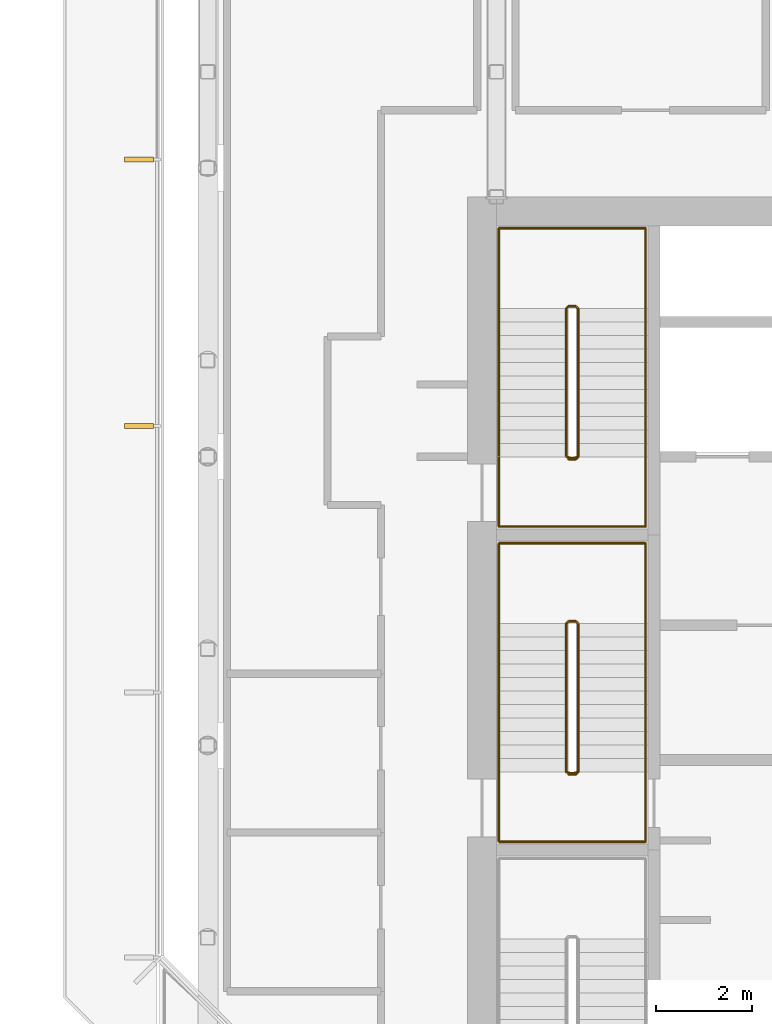
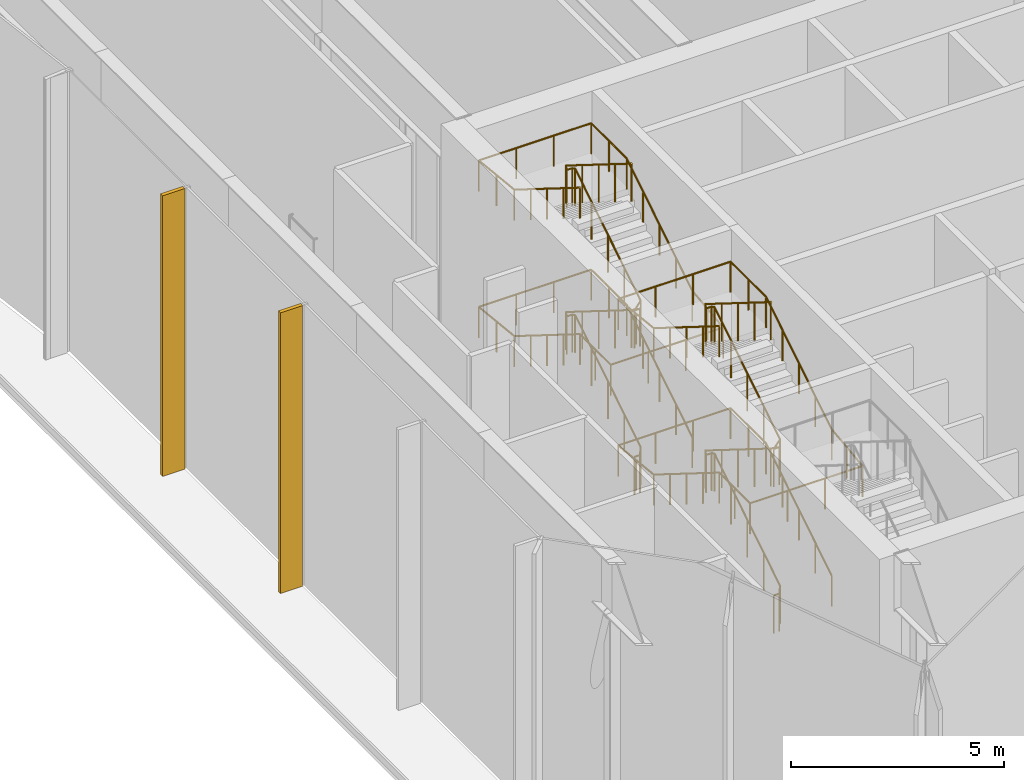
# One storey, part 18 of 22: 4 railings, 2 coverings.
"""IFC4 building model written with IfcOpenShell, lengths in metres."""

from ifc_helpers import new_model, si_unit, direction, frame, origin, origin_2d, place, context, subcontext, project, spatial, rectangle, circle, extrude, material, layer, layer_set, type_object, element, save


model = new_model("IFC4")

# Units and contexts
model_context = context("Model", 3, precision=1e-05, world=origin(), true_north=direction((0.0, 1.0)))
body_context = subcontext(model_context, "Body", "Model", "MODEL_VIEW")
ifc_project = project(units=[si_unit("LENGTHUNIT", "METRE"), si_unit("AREAUNIT", "SQUARE_METRE"), si_unit("VOLUMEUNIT", "CUBIC_METRE"), si_unit("PLANEANGLEUNIT", "RADIAN"), si_unit("MASSUNIT", "GRAM", prefix="KILO")], contexts=[model_context])

# Site, building, storey
site_placement = place(None, origin())
site = spatial("IfcSite", under=ifc_project, at=site_placement, CompositionType="ELEMENT")
building_placement = place(site_placement, origin())
building = spatial("IfcBuilding", under=site, at=building_placement, Name="Welwitschia Terrace Campus", CompositionType="ELEMENT")
storey_placement = place(building_placement, frame((0.0, 0.0, 197.0)))
storey = spatial("IfcBuildingStorey", under=building, at=storey_placement, Name="L44", CompositionType="ELEMENT", Elevation=197.0)

# Coverings
ifc_material_1 = material(Name="Bronze anodised aluminium", Category="aluminium")
ifc_layer = layer(ifc_material_1, 0.10009765625)
ifc_layer_set = layer_set([ifc_layer], Name="Bronze anodised aluminium")
covering_type = type_object("IfcCoveringType", Name="Bronze fin 100x600", PredefinedType="USERDEFINED", material=ifc_layer_set)
for number, where, z_axis, x_axis, name in (
    (1, (-1.429931640625, 26.17724609375, 0.0), (0.0, 0.0, 1.0), (0.0, -1.0, 0.0), "Fin L44.9.1"),
    (2, (-1.429931640625, 20.639892578125, 0.0), (0.0, 0.0, 1.0), (0.0, -1.0, 0.0), "Fin L44.9.2"),
):
    element("IfcCovering", number, at=place(storey_placement, frame(where, z_axis=z_axis, x_axis=x_axis)), inside=storey, type_object=covering_type, Name=name, ObjectType="FIN", PredefinedType="USERDEFINED", context=body_context, shape_type="SweptSolid", body=[
        extrude(rectangle(XDim=0.10009765625, YDim=0.60009765625, at=origin_2d()), origin(), (0.0, 0.0, 1.0), 8.050048828125),
    ])

# Railings
ifc_material_2 = material(Name="Steel S355", Category="steel")
railing_type_1 = type_object("IfcRailingType", Name="Stair guard 1100", PredefinedType="GUARDRAIL", material=ifc_material_2)
railing_1_placement = place(storey_placement, frame((7.5, 13.39990234375, 0.0)))
element("IfcRailing", 3, at=railing_1_placement, inside=storey, type_object=railing_type_1, Name="L44 S3 stair guard", PredefinedType="GUARDRAIL", context=body_context, shape_type="SweptSolid", body=[
    extrude(circle(Radius=0.02392578125, at=origin_2d()), frame((0.0, 0.0, 1.076171875), z_axis=(1.0, 0.0, 0.0), x_axis=(0.0, 1.0, 0.0)), (0.0, 0.0, 1.0), 0.14990234375),
    extrude(circle(Radius=0.02392578125, at=origin_2d()), frame((0.14990234375, 0.0, 1.076171875), z_axis=(0.265065253269, 0.265065253269, 0.927081885822), x_axis=(-0.707106781187, 0.707106781187, 0.0)), (0.0, 0.0, 1.0), 0.188720703125),
    extrude(circle(Radius=0.02392578125, at=origin_2d()), frame((0.199951171875, 0.050048828125, 1.2509765625), z_axis=(0.0, 0.847998304005, 0.529998940003), x_axis=(-1.0, 0.0, 0.0)), (0.0, 0.0, 1.0), 3.632080078125),
    extrude(circle(Radius=0.02392578125, at=origin_2d()), frame((0.199951171875, 3.130126953125, 3.17626953125), z_axis=(-0.707106781187, 0.707106781187, 0.0), x_axis=(-0.707106781187, -0.707106781187, 0.0)), (0.0, 0.0, 1.0), 0.07080078125),
    extrude(circle(Radius=0.02392578125, at=origin_2d()), frame((0.14990234375, 3.18017578125, 3.17626953125), z_axis=(-1.0, 0.0, 0.0), x_axis=(0.0, -1.0, 0.0)), (0.0, 0.0, 1.0), 0.14990234375),
    extrude(circle(Radius=0.02392578125, at=origin_2d()), frame((0.0, 3.18017578125, 3.17626953125), z_axis=(-0.265383341853, -0.265383341853, 0.926899867156), x_axis=(0.707106781187, -0.707106781187, 0.0)), (0.0, 0.0, 1.0), 0.1884765625),
    extrude(circle(Radius=0.02392578125, at=origin_2d()), frame((-0.050048828125, 3.130126953125, 3.35107421875), z_axis=(0.0, -0.847998304005, 0.529998940003), x_axis=(1.0, 0.0, 0.0)), (0.0, 0.0, 1.0), 3.632080078125),
    extrude(circle(Radius=0.02392578125, at=origin_2d()), frame((-0.050048828125, 0.050048828125, 5.27587890625), z_axis=(0.970072785993, -0.242814311512, 0.0), x_axis=(0.242814311512, 0.970072785993, 0.0)), (0.0, 0.0, 1.0), 0.2060546875),
    extrude(circle(Radius=0.02392578125, at=origin_2d()), frame((0.14990234375, 0.0, 5.27587890625), z_axis=(-1.0, 0.0, 0.0), x_axis=(0.0, -1.0, 0.0)), (0.0, 0.0, 1.0), 0.14990234375),
    extrude(circle(Radius=0.02392578125, at=origin_2d()), frame((0.0, 0.0, 5.27587890625), z_axis=(0.739407315901, 0.185077533284, 0.647319957877), x_axis=(-0.242814311512, 0.970072785993, 0.0)), (0.0, 0.0, 1.0), 0.2705078125),
    extrude(circle(Radius=0.02392578125, at=origin_2d()), frame((0.199951171875, 0.050048828125, 5.451171875), z_axis=(0.0, 0.847998304005, 0.529998940003), x_axis=(-1.0, 0.0, 0.0)), (0.0, 0.0, 1.0), 3.632080078125),
    extrude(circle(Radius=0.02392578125, at=origin_2d()), frame((0.199951171875, 3.130126953125, 7.3759765625), z_axis=(-0.707106781187, 0.707106781187, 0.0), x_axis=(-0.707106781187, -0.707106781187, 0.0)), (0.0, 0.0, 1.0), 0.07080078125),
    extrude(circle(Radius=0.02392578125, at=origin_2d()), frame((0.14990234375, 3.18017578125, 7.3759765625), z_axis=(-1.0, 0.0, 0.0), x_axis=(0.0, -1.0, 0.0)), (0.0, 0.0, 1.0), 0.14990234375),
    extrude(circle(Radius=0.02392578125, at=origin_2d()), frame((0.0, 3.18017578125, 7.3759765625), z_axis=(-0.265065253269, -0.265065253269, 0.927081885822), x_axis=(0.707106781187, -0.707106781187, 0.0)), (0.0, 0.0, 1.0), 0.188720703125),
    extrude(circle(Radius=0.02392578125, at=origin_2d()), frame((-0.050048828125, 3.130126953125, 7.55126953125), z_axis=(0.0, -0.848028513186, 0.529950602248), x_axis=(1.0, 0.0, 0.0)), (0.0, 0.0, 1.0), 3.632080078125),
    extrude(circle(Radius=0.02099609375, at=origin_2d()), origin(), (0.0, 0.0, 1.0), 1.052001953125),
    extrude(circle(Radius=0.02099609375, at=origin_2d()), frame((0.14990234375, 0.0, 0.0)), (0.0, 0.0, 1.0), 1.052001953125),
    extrude(circle(Radius=0.02099609375, at=origin_2d()), frame((0.199951171875, 0.050048828125, 0.175048828125)), (0.0, 0.0, 1.0), 1.052001953125),
    extrude(circle(Radius=0.02099609375, at=origin_2d()), frame((0.199951171875, 0.820068359375, 0.65625)), (0.0, 0.0, 1.0), 1.052001953125),
    extrude(circle(Radius=0.02099609375, at=origin_2d()), frame((0.199951171875, 1.590087890625, 1.1376953125)), (0.0, 0.0, 1.0), 1.052001953125),
    extrude(circle(Radius=0.02099609375, at=origin_2d()), frame((0.199951171875, 2.360107421875, 1.618896484375)), (0.0, 0.0, 1.0), 1.052001953125),
    extrude(circle(Radius=0.02099609375, at=origin_2d()), frame((0.199951171875, 3.130126953125, 2.10009765625)), (0.0, 0.0, 1.0), 1.052001953125),
    extrude(circle(Radius=0.02099609375, at=origin_2d()), frame((0.14990234375, 3.18017578125, 2.10009765625)), (0.0, 0.0, 1.0), 1.052001953125),
    extrude(circle(Radius=0.02099609375, at=origin_2d()), frame((0.0, 3.18017578125, 2.10009765625)), (0.0, 0.0, 1.0), 1.052001953125),
    extrude(circle(Radius=0.02099609375, at=origin_2d()), frame((-0.050048828125, 3.130126953125, 2.27490234375)), (0.0, 0.0, 1.0), 1.052001953125),
    extrude(circle(Radius=0.02099609375, at=origin_2d()), frame((-0.050048828125, 2.360107421875, 2.756103515625)), (0.0, 0.0, 1.0), 1.052001953125),
    extrude(circle(Radius=0.02099609375, at=origin_2d()), frame((-0.050048828125, 1.590087890625, 3.2373046875)), (0.0, 0.0, 1.0), 1.052001953125),
    extrude(circle(Radius=0.02099609375, at=origin_2d()), frame((-0.050048828125, 0.820068359375, 3.71875)), (0.0, 0.0, 1.0), 1.052001953125),
    extrude(circle(Radius=0.02099609375, at=origin_2d()), frame((-0.050048828125, 0.050048828125, 4.199951171875)), (0.0, 0.0, 1.0), 1.052001953125),
    extrude(circle(Radius=0.02099609375, at=origin_2d()), frame((0.14990234375, 0.0, 4.199951171875)), (0.0, 0.0, 1.0), 1.052001953125),
    extrude(circle(Radius=0.02099609375, at=origin_2d()), frame((0.0, 0.0, 4.199951171875)), (0.0, 0.0, 1.0), 1.052001953125),
    extrude(circle(Radius=0.02099609375, at=origin_2d()), frame((0.199951171875, 0.050048828125, 4.375)), (0.0, 0.0, 1.0), 1.052001953125),
    extrude(circle(Radius=0.02099609375, at=origin_2d()), frame((0.199951171875, 0.820068359375, 4.856201171875)), (0.0, 0.0, 1.0), 1.052001953125),
    extrude(circle(Radius=0.02099609375, at=origin_2d()), frame((0.199951171875, 1.590087890625, 5.33740234375)), (0.0, 0.0, 1.0), 1.052001953125),
    extrude(circle(Radius=0.02099609375, at=origin_2d()), frame((0.199951171875, 2.360107421875, 5.81884765625)), (0.0, 0.0, 1.0), 1.052001953125),
    extrude(circle(Radius=0.02099609375, at=origin_2d()), frame((0.199951171875, 3.130126953125, 6.300048828125)), (0.0, 0.0, 1.0), 1.052001953125),
    extrude(circle(Radius=0.02099609375, at=origin_2d()), frame((0.14990234375, 3.18017578125, 6.300048828125)), (0.0, 0.0, 1.0), 1.052001953125),
    extrude(circle(Radius=0.02099609375, at=origin_2d()), frame((0.0, 3.18017578125, 6.300048828125)), (0.0, 0.0, 1.0), 1.052001953125),
    extrude(circle(Radius=0.02099609375, at=origin_2d()), frame((-0.050048828125, 3.130126953125, 6.47509765625)), (0.0, 0.0, 1.0), 1.052001953125),
    extrude(circle(Radius=0.02099609375, at=origin_2d()), frame((-0.050048828125, 2.360107421875, 6.956298828125)), (0.0, 0.0, 1.0), 1.052001953125),
    extrude(circle(Radius=0.02099609375, at=origin_2d()), frame((-0.050048828125, 1.590087890625, 7.4375)), (0.0, 0.0, 1.0), 1.052001953125),
    extrude(circle(Radius=0.02099609375, at=origin_2d()), frame((-0.050048828125, 0.820068359375, 7.918701171875)), (0.0, 0.0, 1.0), 1.052001953125),
    extrude(circle(Radius=0.02099609375, at=origin_2d()), frame((-0.050048828125, 0.050048828125, 8.39990234375)), (0.0, 0.0, 1.0), 1.052001953125),
])
railing_2_placement = place(storey_placement, frame((7.5, 19.949951171875, 0.0)))
element("IfcRailing", 4, at=railing_2_placement, inside=storey, type_object=railing_type_1, Name="L44 S4 stair guard", PredefinedType="GUARDRAIL", context=body_context, shape_type="SweptSolid", body=[
    extrude(circle(Radius=0.02392578125, at=origin_2d()), frame((0.0, 0.0, 1.076171875), z_axis=(1.0, 0.0, 0.0), x_axis=(0.0, 1.0, 0.0)), (0.0, 0.0, 1.0), 0.14990234375),
    extrude(circle(Radius=0.02392578125, at=origin_2d()), frame((0.14990234375, 0.0, 1.076171875), z_axis=(0.265065253269, 0.265065253269, 0.927081885822), x_axis=(-0.707106781187, 0.707106781187, 0.0)), (0.0, 0.0, 1.0), 0.188720703125),
    extrude(circle(Radius=0.02392578125, at=origin_2d()), frame((0.199951171875, 0.050048828125, 1.2509765625), z_axis=(0.0, 0.847998304005, 0.529998940003), x_axis=(-1.0, 0.0, 0.0)), (0.0, 0.0, 1.0), 3.632080078125),
    extrude(circle(Radius=0.02392578125, at=origin_2d()), frame((0.199951171875, 3.130126953125, 3.17626953125), z_axis=(-0.708833529934, 0.705375805398, 0.0), x_axis=(-0.705375805398, -0.708833529934, 0.0)), (0.0, 0.0, 1.0), 0.070556640625),
    extrude(circle(Radius=0.02392578125, at=origin_2d()), frame((0.14990234375, 3.179931640625, 3.17626953125), z_axis=(-1.0, 0.0, 0.0), x_axis=(0.0, -1.0, 0.0)), (0.0, 0.0, 1.0), 0.14990234375),
    extrude(circle(Radius=0.02392578125, at=origin_2d()), frame((0.0, 3.179931640625, 3.17626953125), z_axis=(-0.265474339444, -0.264179342666, 0.927217692888), x_axis=(0.705375805398, -0.708833529934, 0.0)), (0.0, 0.0, 1.0), 0.1884765625),
    extrude(circle(Radius=0.02392578125, at=origin_2d()), frame((-0.050048828125, 3.130126953125, 3.35107421875), z_axis=(0.0, -0.847998304005, 0.529998940003), x_axis=(1.0, 0.0, 0.0)), (0.0, 0.0, 1.0), 3.632080078125),
    extrude(circle(Radius=0.02392578125, at=origin_2d()), frame((-0.050048828125, 0.050048828125, 5.27587890625), z_axis=(0.970072785993, -0.242814311512, 0.0), x_axis=(0.242814311512, 0.970072785993, 0.0)), (0.0, 0.0, 1.0), 0.2060546875),
    extrude(circle(Radius=0.02392578125, at=origin_2d()), frame((0.14990234375, 0.0, 5.27587890625), z_axis=(-1.0, 0.0, 0.0), x_axis=(0.0, -1.0, 0.0)), (0.0, 0.0, 1.0), 0.14990234375),
    extrude(circle(Radius=0.02392578125, at=origin_2d()), frame((0.0, 0.0, 5.27587890625), z_axis=(0.739407315901, 0.185077533284, 0.647319957877), x_axis=(-0.242814311512, 0.970072785993, 0.0)), (0.0, 0.0, 1.0), 0.2705078125),
    extrude(circle(Radius=0.02392578125, at=origin_2d()), frame((0.199951171875, 0.050048828125, 5.451171875), z_axis=(0.0, 0.847998304005, 0.529998940003), x_axis=(-1.0, 0.0, 0.0)), (0.0, 0.0, 1.0), 3.632080078125),
    extrude(circle(Radius=0.02392578125, at=origin_2d()), frame((0.199951171875, 3.130126953125, 7.3759765625), z_axis=(-0.708833529934, 0.705375805398, 0.0), x_axis=(-0.705375805398, -0.708833529934, 0.0)), (0.0, 0.0, 1.0), 0.070556640625),
    extrude(circle(Radius=0.02392578125, at=origin_2d()), frame((0.14990234375, 3.179931640625, 7.3759765625), z_axis=(-1.0, 0.0, 0.0), x_axis=(0.0, -1.0, 0.0)), (0.0, 0.0, 1.0), 0.14990234375),
    extrude(circle(Radius=0.02392578125, at=origin_2d()), frame((0.0, 3.179931640625, 7.3759765625), z_axis=(-0.265155923931, -0.263862480399, 0.927399011991), x_axis=(0.705375805398, -0.708833529934, 0.0)), (0.0, 0.0, 1.0), 0.188720703125),
    extrude(circle(Radius=0.02392578125, at=origin_2d()), frame((-0.050048828125, 3.130126953125, 7.55126953125), z_axis=(0.0, -0.848028513186, 0.529950602248), x_axis=(1.0, 0.0, 0.0)), (0.0, 0.0, 1.0), 3.632080078125),
    extrude(circle(Radius=0.02099609375, at=origin_2d()), origin(), (0.0, 0.0, 1.0), 1.052001953125),
    extrude(circle(Radius=0.02099609375, at=origin_2d()), frame((0.14990234375, 0.0, 0.0)), (0.0, 0.0, 1.0), 1.052001953125),
    extrude(circle(Radius=0.02099609375, at=origin_2d()), frame((0.199951171875, 0.050048828125, 0.175048828125)), (0.0, 0.0, 1.0), 1.052001953125),
    extrude(circle(Radius=0.02099609375, at=origin_2d()), frame((0.199951171875, 0.820068359375, 0.65625)), (0.0, 0.0, 1.0), 1.052001953125),
    extrude(circle(Radius=0.02099609375, at=origin_2d()), frame((0.199951171875, 1.590087890625, 1.1376953125)), (0.0, 0.0, 1.0), 1.052001953125),
    extrude(circle(Radius=0.02099609375, at=origin_2d()), frame((0.199951171875, 2.360107421875, 1.618896484375)), (0.0, 0.0, 1.0), 1.052001953125),
    extrude(circle(Radius=0.02099609375, at=origin_2d()), frame((0.199951171875, 3.130126953125, 2.10009765625)), (0.0, 0.0, 1.0), 1.052001953125),
    extrude(circle(Radius=0.02099609375, at=origin_2d()), frame((0.14990234375, 3.179931640625, 2.10009765625)), (0.0, 0.0, 1.0), 1.052001953125),
    extrude(circle(Radius=0.02099609375, at=origin_2d()), frame((0.0, 3.179931640625, 2.10009765625)), (0.0, 0.0, 1.0), 1.052001953125),
    extrude(circle(Radius=0.02099609375, at=origin_2d()), frame((-0.050048828125, 3.130126953125, 2.27490234375)), (0.0, 0.0, 1.0), 1.052001953125),
    extrude(circle(Radius=0.02099609375, at=origin_2d()), frame((-0.050048828125, 2.360107421875, 2.756103515625)), (0.0, 0.0, 1.0), 1.052001953125),
    extrude(circle(Radius=0.02099609375, at=origin_2d()), frame((-0.050048828125, 1.590087890625, 3.2373046875)), (0.0, 0.0, 1.0), 1.052001953125),
    extrude(circle(Radius=0.02099609375, at=origin_2d()), frame((-0.050048828125, 0.820068359375, 3.71875)), (0.0, 0.0, 1.0), 1.052001953125),
    extrude(circle(Radius=0.02099609375, at=origin_2d()), frame((-0.050048828125, 0.050048828125, 4.199951171875)), (0.0, 0.0, 1.0), 1.052001953125),
    extrude(circle(Radius=0.02099609375, at=origin_2d()), frame((0.14990234375, 0.0, 4.199951171875)), (0.0, 0.0, 1.0), 1.052001953125),
    extrude(circle(Radius=0.02099609375, at=origin_2d()), frame((0.0, 0.0, 4.199951171875)), (0.0, 0.0, 1.0), 1.052001953125),
    extrude(circle(Radius=0.02099609375, at=origin_2d()), frame((0.199951171875, 0.050048828125, 4.375)), (0.0, 0.0, 1.0), 1.052001953125),
    extrude(circle(Radius=0.02099609375, at=origin_2d()), frame((0.199951171875, 0.820068359375, 4.856201171875)), (0.0, 0.0, 1.0), 1.052001953125),
    extrude(circle(Radius=0.02099609375, at=origin_2d()), frame((0.199951171875, 1.590087890625, 5.33740234375)), (0.0, 0.0, 1.0), 1.052001953125),
    extrude(circle(Radius=0.02099609375, at=origin_2d()), frame((0.199951171875, 2.360107421875, 5.81884765625)), (0.0, 0.0, 1.0), 1.052001953125),
    extrude(circle(Radius=0.02099609375, at=origin_2d()), frame((0.199951171875, 3.130126953125, 6.300048828125)), (0.0, 0.0, 1.0), 1.052001953125),
    extrude(circle(Radius=0.02099609375, at=origin_2d()), frame((0.14990234375, 3.179931640625, 6.300048828125)), (0.0, 0.0, 1.0), 1.052001953125),
    extrude(circle(Radius=0.02099609375, at=origin_2d()), frame((0.0, 3.179931640625, 6.300048828125)), (0.0, 0.0, 1.0), 1.052001953125),
    extrude(circle(Radius=0.02099609375, at=origin_2d()), frame((-0.050048828125, 3.130126953125, 6.47509765625)), (0.0, 0.0, 1.0), 1.052001953125),
    extrude(circle(Radius=0.02099609375, at=origin_2d()), frame((-0.050048828125, 2.360107421875, 6.956298828125)), (0.0, 0.0, 1.0), 1.052001953125),
    extrude(circle(Radius=0.02099609375, at=origin_2d()), frame((-0.050048828125, 1.590087890625, 7.4375)), (0.0, 0.0, 1.0), 1.052001953125),
    extrude(circle(Radius=0.02099609375, at=origin_2d()), frame((-0.050048828125, 0.820068359375, 7.918701171875)), (0.0, 0.0, 1.0), 1.052001953125),
    extrude(circle(Radius=0.02099609375, at=origin_2d()), frame((-0.050048828125, 0.050048828125, 8.39990234375)), (0.0, 0.0, 1.0), 1.052001953125),
])
ifc_material_3 = material(Name="Steel S355", Category="steel")
railing_type_2 = type_object("IfcRailingType", Name="Stair handrail 900", PredefinedType="HANDRAIL", material=ifc_material_3)
railing_3_placement = place(storey_placement, frame((9.10009765625, 13.449951171875, 0.175048828125)))
element("IfcRailing", 5, at=railing_3_placement, inside=storey, type_object=railing_type_2, Name="L44 S3 stair handrail", PredefinedType="HANDRAIL", context=body_context, shape_type="SweptSolid", body=[
    extrude(circle(Radius=0.02392578125, at=origin_2d()), frame((0.0, 0.0, 0.8759765625), z_axis=(0.0, 0.847998304005, 0.529998940003), x_axis=(-1.0, 0.0, 0.0)), (0.0, 0.0, 1.0), 3.632080078125),
    extrude(circle(Radius=0.02392578125, at=origin_2d()), frame((0.0, 3.080078125, 2.80078125), z_axis=(0.0, 1.0, 0.0), x_axis=(-1.0, 0.0, 0.0)), (0.0, 0.0, 1.0), 1.669921875),
    extrude(circle(Radius=0.02392578125, at=origin_2d()), frame((0.0, 4.75, 2.80078125), z_axis=(-1.0, 0.0, 0.0), x_axis=(0.0, -1.0, 0.0)), (0.0, 0.0, 1.0), 3.050048828125),
    extrude(circle(Radius=0.02392578125, at=origin_2d()), frame((-3.050048828125, 4.75, 2.80078125), z_axis=(0.0, -0.994565838508, 0.104109523446), x_axis=(1.0, 0.0, 0.0)), (0.0, 0.0, 1.0), 1.678955078125),
    extrude(circle(Radius=0.02392578125, at=origin_2d()), frame((-3.050048828125, 3.080078125, 2.9755859375), z_axis=(0.0, -0.847998304005, 0.529998940003), x_axis=(1.0, 0.0, 0.0)), (0.0, 0.0, 1.0), 3.632080078125),
    extrude(circle(Radius=0.02392578125, at=origin_2d()), frame((-3.050048828125, 0.0, 4.90087890625), z_axis=(0.0, -1.0, 0.0), x_axis=(1.0, 0.0, 0.0)), (0.0, 0.0, 1.0), 1.449951171875),
    extrude(circle(Radius=0.02392578125, at=origin_2d()), frame((-3.050048828125, -1.449951171875, 4.90087890625), z_axis=(1.0, 0.0, 0.0), x_axis=(0.0, 1.0, 0.0)), (0.0, 0.0, 1.0), 3.050048828125),
    extrude(circle(Radius=0.02392578125, at=origin_2d()), frame((0.0, -1.449951171875, 4.90087890625), z_axis=(0.0, 0.992791155251, 0.119857090136), x_axis=(-1.0, 0.0, 0.0)), (0.0, 0.0, 1.0), 1.46044921875),
    extrude(circle(Radius=0.02392578125, at=origin_2d()), frame((0.0, 0.0, 5.07568359375), z_axis=(0.0, 0.847998304005, 0.529998940003), x_axis=(-1.0, 0.0, 0.0)), (0.0, 0.0, 1.0), 3.632080078125),
    extrude(circle(Radius=0.02392578125, at=origin_2d()), frame((0.0, 3.080078125, 7.0009765625), z_axis=(0.0, 1.0, 0.0), x_axis=(-1.0, 0.0, 0.0)), (0.0, 0.0, 1.0), 1.669921875),
    extrude(circle(Radius=0.02392578125, at=origin_2d()), frame((0.0, 4.75, 7.0009765625), z_axis=(-1.0, 0.0, 0.0), x_axis=(0.0, -1.0, 0.0)), (0.0, 0.0, 1.0), 3.050048828125),
    extrude(circle(Radius=0.02392578125, at=origin_2d()), frame((-3.050048828125, 4.75, 7.0009765625), z_axis=(0.0, -0.99455077262, 0.104253348533), x_axis=(1.0, 0.0, 0.0)), (0.0, 0.0, 1.0), 1.678955078125),
    extrude(circle(Radius=0.02392578125, at=origin_2d()), frame((-3.050048828125, 3.080078125, 7.17578125), z_axis=(0.0, -0.848028513186, 0.529950602248), x_axis=(1.0, 0.0, 0.0)), (0.0, 0.0, 1.0), 3.632080078125),
    extrude(circle(Radius=0.02099609375, at=origin_2d()), origin(), (0.0, 0.0, 1.0), 0.851806640625),
    extrude(circle(Radius=0.02099609375, at=origin_2d()), frame((0.0, 0.77001953125, 0.481201171875)), (0.0, 0.0, 1.0), 0.851806640625),
    extrude(circle(Radius=0.02099609375, at=origin_2d()), frame((0.0, 1.5400390625, 0.96240234375)), (0.0, 0.0, 1.0), 0.851806640625),
    extrude(circle(Radius=0.02099609375, at=origin_2d()), frame((0.0, 2.31005859375, 1.44384765625)), (0.0, 0.0, 1.0), 0.851806640625),
    extrude(circle(Radius=0.02099609375, at=origin_2d()), frame((0.0, 3.080078125, 1.925048828125)), (0.0, 0.0, 1.0), 0.851806640625),
    extrude(circle(Radius=0.02099609375, at=origin_2d()), frame((0.0, 3.9150390625, 1.925048828125)), (0.0, 0.0, 1.0), 0.851806640625),
    extrude(circle(Radius=0.02099609375, at=origin_2d()), frame((0.0, 4.75, 1.925048828125)), (0.0, 0.0, 1.0), 0.851806640625),
    extrude(circle(Radius=0.02099609375, at=origin_2d()), frame((-1.0166015625, 4.75, 1.925048828125)), (0.0, 0.0, 1.0), 0.851806640625),
    extrude(circle(Radius=0.02099609375, at=origin_2d()), frame((-2.033447265625, 4.75, 1.925048828125)), (0.0, 0.0, 1.0), 0.851806640625),
    extrude(circle(Radius=0.02099609375, at=origin_2d()), frame((-3.050048828125, 4.75, 1.925048828125)), (0.0, 0.0, 1.0), 0.851806640625),
    extrude(circle(Radius=0.02099609375, at=origin_2d()), frame((-3.050048828125, 3.9150390625, 2.012451171875)), (0.0, 0.0, 1.0), 0.851806640625),
    extrude(circle(Radius=0.02099609375, at=origin_2d()), frame((-3.050048828125, 3.080078125, 2.099853515625)), (0.0, 0.0, 1.0), 0.851806640625),
    extrude(circle(Radius=0.02099609375, at=origin_2d()), frame((-3.050048828125, 2.31005859375, 2.5810546875)), (0.0, 0.0, 1.0), 0.851806640625),
    extrude(circle(Radius=0.02099609375, at=origin_2d()), frame((-3.050048828125, 1.5400390625, 3.0625)), (0.0, 0.0, 1.0), 0.851806640625),
    extrude(circle(Radius=0.02099609375, at=origin_2d()), frame((-3.050048828125, 0.77001953125, 3.543701171875)), (0.0, 0.0, 1.0), 0.851806640625),
    extrude(circle(Radius=0.02099609375, at=origin_2d()), frame((-3.050048828125, 0.0, 4.02490234375)), (0.0, 0.0, 1.0), 0.851806640625),
    extrude(circle(Radius=0.02099609375, at=origin_2d()), frame((-3.050048828125, -0.72509765625, 4.02490234375)), (0.0, 0.0, 1.0), 0.851806640625),
    extrude(circle(Radius=0.02099609375, at=origin_2d()), frame((-3.050048828125, -1.449951171875, 4.02490234375)), (0.0, 0.0, 1.0), 0.851806640625),
    extrude(circle(Radius=0.02099609375, at=origin_2d()), frame((-2.033447265625, -1.449951171875, 4.02490234375)), (0.0, 0.0, 1.0), 0.851806640625),
    extrude(circle(Radius=0.02099609375, at=origin_2d()), frame((-1.0166015625, -1.449951171875, 4.02490234375)), (0.0, 0.0, 1.0), 0.851806640625),
    extrude(circle(Radius=0.02099609375, at=origin_2d()), frame((0.0, -1.449951171875, 4.02490234375)), (0.0, 0.0, 1.0), 0.851806640625),
    extrude(circle(Radius=0.02099609375, at=origin_2d()), frame((0.0, -0.72509765625, 4.1123046875)), (0.0, 0.0, 1.0), 0.851806640625),
    extrude(circle(Radius=0.02099609375, at=origin_2d()), frame((0.0, 0.0, 4.199951171875)), (0.0, 0.0, 1.0), 0.851806640625),
    extrude(circle(Radius=0.02099609375, at=origin_2d()), frame((0.0, 0.77001953125, 4.68115234375)), (0.0, 0.0, 1.0), 0.851806640625),
    extrude(circle(Radius=0.02099609375, at=origin_2d()), frame((0.0, 1.5400390625, 5.16259765625)), (0.0, 0.0, 1.0), 0.851806640625),
    extrude(circle(Radius=0.02099609375, at=origin_2d()), frame((0.0, 2.31005859375, 5.643798828125)), (0.0, 0.0, 1.0), 0.851806640625),
    extrude(circle(Radius=0.02099609375, at=origin_2d()), frame((0.0, 3.080078125, 6.125)), (0.0, 0.0, 1.0), 0.851806640625),
    extrude(circle(Radius=0.02099609375, at=origin_2d()), frame((0.0, 3.9150390625, 6.125)), (0.0, 0.0, 1.0), 0.851806640625),
    extrude(circle(Radius=0.02099609375, at=origin_2d()), frame((0.0, 4.75, 6.125)), (0.0, 0.0, 1.0), 0.851806640625),
    extrude(circle(Radius=0.02099609375, at=origin_2d()), frame((-1.0166015625, 4.75, 6.125)), (0.0, 0.0, 1.0), 0.851806640625),
    extrude(circle(Radius=0.02099609375, at=origin_2d()), frame((-2.033447265625, 4.75, 6.125)), (0.0, 0.0, 1.0), 0.851806640625),
    extrude(circle(Radius=0.02099609375, at=origin_2d()), frame((-3.050048828125, 4.75, 6.125)), (0.0, 0.0, 1.0), 0.851806640625),
    extrude(circle(Radius=0.02099609375, at=origin_2d()), frame((-3.050048828125, 3.9150390625, 6.21240234375)), (0.0, 0.0, 1.0), 0.851806640625),
    extrude(circle(Radius=0.02099609375, at=origin_2d()), frame((-3.050048828125, 3.080078125, 6.300048828125)), (0.0, 0.0, 1.0), 0.851806640625),
    extrude(circle(Radius=0.02099609375, at=origin_2d()), frame((-3.050048828125, 2.31005859375, 6.78125)), (0.0, 0.0, 1.0), 0.851806640625),
    extrude(circle(Radius=0.02099609375, at=origin_2d()), frame((-3.050048828125, 1.5400390625, 7.262451171875)), (0.0, 0.0, 1.0), 0.851806640625),
    extrude(circle(Radius=0.02099609375, at=origin_2d()), frame((-3.050048828125, 0.77001953125, 7.74365234375)), (0.0, 0.0, 1.0), 0.851806640625),
    extrude(circle(Radius=0.02099609375, at=origin_2d()), frame((-3.050048828125, 0.0, 8.224853515625)), (0.0, 0.0, 1.0), 0.851806640625),
])
railing_4_placement = place(storey_placement, frame((9.10009765625, 20.0, 0.175048828125)))
element("IfcRailing", 6, at=railing_4_placement, inside=storey, type_object=railing_type_2, Name="L44 S4 stair handrail", PredefinedType="HANDRAIL", context=body_context, shape_type="SweptSolid", body=[
    extrude(circle(Radius=0.02392578125, at=origin_2d()), frame((0.0, 0.0, 0.8759765625), z_axis=(0.0, 0.847998304005, 0.529998940003), x_axis=(-1.0, 0.0, 0.0)), (0.0, 0.0, 1.0), 3.632080078125),
    extrude(circle(Radius=0.02392578125, at=origin_2d()), frame((0.0, 3.080078125, 2.80078125), z_axis=(0.0, 1.0, 0.0), x_axis=(-1.0, 0.0, 0.0)), (0.0, 0.0, 1.0), 1.669921875),
    extrude(circle(Radius=0.02392578125, at=origin_2d()), frame((0.0, 4.75, 2.80078125), z_axis=(-1.0, 0.0, 0.0), x_axis=(0.0, -1.0, 0.0)), (0.0, 0.0, 1.0), 3.050048828125),
    extrude(circle(Radius=0.02392578125, at=origin_2d()), frame((-3.050048828125, 4.75, 2.80078125), z_axis=(0.0, -0.994565838508, 0.104109523446), x_axis=(1.0, 0.0, 0.0)), (0.0, 0.0, 1.0), 1.678955078125),
    extrude(circle(Radius=0.02392578125, at=origin_2d()), frame((-3.050048828125, 3.080078125, 2.9755859375), z_axis=(0.0, -0.847998304005, 0.529998940003), x_axis=(1.0, 0.0, 0.0)), (0.0, 0.0, 1.0), 3.632080078125),
    extrude(circle(Radius=0.02392578125, at=origin_2d()), frame((-3.050048828125, 0.0, 4.90087890625), z_axis=(0.0, -1.0, 0.0), x_axis=(1.0, 0.0, 0.0)), (0.0, 0.0, 1.0), 1.449951171875),
    extrude(circle(Radius=0.02392578125, at=origin_2d()), frame((-3.050048828125, -1.449951171875, 4.90087890625), z_axis=(1.0, 0.0, 0.0), x_axis=(0.0, 1.0, 0.0)), (0.0, 0.0, 1.0), 3.050048828125),
    extrude(circle(Radius=0.02392578125, at=origin_2d()), frame((0.0, -1.449951171875, 4.90087890625), z_axis=(0.0, 0.992791155251, 0.119857090136), x_axis=(-1.0, 0.0, 0.0)), (0.0, 0.0, 1.0), 1.46044921875),
    extrude(circle(Radius=0.02392578125, at=origin_2d()), frame((0.0, 0.0, 5.07568359375), z_axis=(0.0, 0.847998304005, 0.529998940003), x_axis=(-1.0, 0.0, 0.0)), (0.0, 0.0, 1.0), 3.632080078125),
    extrude(circle(Radius=0.02392578125, at=origin_2d()), frame((0.0, 3.080078125, 7.0009765625), z_axis=(0.0, 1.0, 0.0), x_axis=(-1.0, 0.0, 0.0)), (0.0, 0.0, 1.0), 1.669921875),
    extrude(circle(Radius=0.02392578125, at=origin_2d()), frame((0.0, 4.75, 7.0009765625), z_axis=(-1.0, 0.0, 0.0), x_axis=(0.0, -1.0, 0.0)), (0.0, 0.0, 1.0), 3.050048828125),
    extrude(circle(Radius=0.02392578125, at=origin_2d()), frame((-3.050048828125, 4.75, 7.0009765625), z_axis=(0.0, -0.99455077262, 0.104253348533), x_axis=(1.0, 0.0, 0.0)), (0.0, 0.0, 1.0), 1.678955078125),
    extrude(circle(Radius=0.02392578125, at=origin_2d()), frame((-3.050048828125, 3.080078125, 7.17578125), z_axis=(0.0, -0.848028513186, 0.529950602248), x_axis=(1.0, 0.0, 0.0)), (0.0, 0.0, 1.0), 3.632080078125),
    extrude(circle(Radius=0.02099609375, at=origin_2d()), origin(), (0.0, 0.0, 1.0), 0.851806640625),
    extrude(circle(Radius=0.02099609375, at=origin_2d()), frame((0.0, 0.77001953125, 0.481201171875)), (0.0, 0.0, 1.0), 0.851806640625),
    extrude(circle(Radius=0.02099609375, at=origin_2d()), frame((0.0, 1.5400390625, 0.96240234375)), (0.0, 0.0, 1.0), 0.851806640625),
    extrude(circle(Radius=0.02099609375, at=origin_2d()), frame((0.0, 2.31005859375, 1.44384765625)), (0.0, 0.0, 1.0), 0.851806640625),
    extrude(circle(Radius=0.02099609375, at=origin_2d()), frame((0.0, 3.080078125, 1.925048828125)), (0.0, 0.0, 1.0), 0.851806640625),
    extrude(circle(Radius=0.02099609375, at=origin_2d()), frame((0.0, 3.9150390625, 1.925048828125)), (0.0, 0.0, 1.0), 0.851806640625),
    extrude(circle(Radius=0.02099609375, at=origin_2d()), frame((0.0, 4.75, 1.925048828125)), (0.0, 0.0, 1.0), 0.851806640625),
    extrude(circle(Radius=0.02099609375, at=origin_2d()), frame((-1.0166015625, 4.75, 1.925048828125)), (0.0, 0.0, 1.0), 0.851806640625),
    extrude(circle(Radius=0.02099609375, at=origin_2d()), frame((-2.033447265625, 4.75, 1.925048828125)), (0.0, 0.0, 1.0), 0.851806640625),
    extrude(circle(Radius=0.02099609375, at=origin_2d()), frame((-3.050048828125, 4.75, 1.925048828125)), (0.0, 0.0, 1.0), 0.851806640625),
    extrude(circle(Radius=0.02099609375, at=origin_2d()), frame((-3.050048828125, 3.9150390625, 2.012451171875)), (0.0, 0.0, 1.0), 0.851806640625),
    extrude(circle(Radius=0.02099609375, at=origin_2d()), frame((-3.050048828125, 3.080078125, 2.099853515625)), (0.0, 0.0, 1.0), 0.851806640625),
    extrude(circle(Radius=0.02099609375, at=origin_2d()), frame((-3.050048828125, 2.31005859375, 2.5810546875)), (0.0, 0.0, 1.0), 0.851806640625),
    extrude(circle(Radius=0.02099609375, at=origin_2d()), frame((-3.050048828125, 1.5400390625, 3.0625)), (0.0, 0.0, 1.0), 0.851806640625),
    extrude(circle(Radius=0.02099609375, at=origin_2d()), frame((-3.050048828125, 0.77001953125, 3.543701171875)), (0.0, 0.0, 1.0), 0.851806640625),
    extrude(circle(Radius=0.02099609375, at=origin_2d()), frame((-3.050048828125, 0.0, 4.02490234375)), (0.0, 0.0, 1.0), 0.851806640625),
    extrude(circle(Radius=0.02099609375, at=origin_2d()), frame((-3.050048828125, -0.72509765625, 4.02490234375)), (0.0, 0.0, 1.0), 0.851806640625),
    extrude(circle(Radius=0.02099609375, at=origin_2d()), frame((-3.050048828125, -1.449951171875, 4.02490234375)), (0.0, 0.0, 1.0), 0.851806640625),
    extrude(circle(Radius=0.02099609375, at=origin_2d()), frame((-2.033447265625, -1.449951171875, 4.02490234375)), (0.0, 0.0, 1.0), 0.851806640625),
    extrude(circle(Radius=0.02099609375, at=origin_2d()), frame((-1.0166015625, -1.449951171875, 4.02490234375)), (0.0, 0.0, 1.0), 0.851806640625),
    extrude(circle(Radius=0.02099609375, at=origin_2d()), frame((0.0, -1.449951171875, 4.02490234375)), (0.0, 0.0, 1.0), 0.851806640625),
    extrude(circle(Radius=0.02099609375, at=origin_2d()), frame((0.0, -0.72509765625, 4.1123046875)), (0.0, 0.0, 1.0), 0.851806640625),
    extrude(circle(Radius=0.02099609375, at=origin_2d()), frame((0.0, 0.0, 4.199951171875)), (0.0, 0.0, 1.0), 0.851806640625),
    extrude(circle(Radius=0.02099609375, at=origin_2d()), frame((0.0, 0.77001953125, 4.68115234375)), (0.0, 0.0, 1.0), 0.851806640625),
    extrude(circle(Radius=0.02099609375, at=origin_2d()), frame((0.0, 1.5400390625, 5.16259765625)), (0.0, 0.0, 1.0), 0.851806640625),
    extrude(circle(Radius=0.02099609375, at=origin_2d()), frame((0.0, 2.31005859375, 5.643798828125)), (0.0, 0.0, 1.0), 0.851806640625),
    extrude(circle(Radius=0.02099609375, at=origin_2d()), frame((0.0, 3.080078125, 6.125)), (0.0, 0.0, 1.0), 0.851806640625),
    extrude(circle(Radius=0.02099609375, at=origin_2d()), frame((0.0, 3.9150390625, 6.125)), (0.0, 0.0, 1.0), 0.851806640625),
    extrude(circle(Radius=0.02099609375, at=origin_2d()), frame((0.0, 4.75, 6.125)), (0.0, 0.0, 1.0), 0.851806640625),
    extrude(circle(Radius=0.02099609375, at=origin_2d()), frame((-1.0166015625, 4.75, 6.125)), (0.0, 0.0, 1.0), 0.851806640625),
    extrude(circle(Radius=0.02099609375, at=origin_2d()), frame((-2.033447265625, 4.75, 6.125)), (0.0, 0.0, 1.0), 0.851806640625),
    extrude(circle(Radius=0.02099609375, at=origin_2d()), frame((-3.050048828125, 4.75, 6.125)), (0.0, 0.0, 1.0), 0.851806640625),
    extrude(circle(Radius=0.02099609375, at=origin_2d()), frame((-3.050048828125, 3.9150390625, 6.21240234375)), (0.0, 0.0, 1.0), 0.851806640625),
    extrude(circle(Radius=0.02099609375, at=origin_2d()), frame((-3.050048828125, 3.080078125, 6.300048828125)), (0.0, 0.0, 1.0), 0.851806640625),
    extrude(circle(Radius=0.02099609375, at=origin_2d()), frame((-3.050048828125, 2.31005859375, 6.78125)), (0.0, 0.0, 1.0), 0.851806640625),
    extrude(circle(Radius=0.02099609375, at=origin_2d()), frame((-3.050048828125, 1.5400390625, 7.262451171875)), (0.0, 0.0, 1.0), 0.851806640625),
    extrude(circle(Radius=0.02099609375, at=origin_2d()), frame((-3.050048828125, 0.77001953125, 7.74365234375)), (0.0, 0.0, 1.0), 0.851806640625),
    extrude(circle(Radius=0.02099609375, at=origin_2d()), frame((-3.050048828125, 0.0, 8.224853515625)), (0.0, 0.0, 1.0), 0.851806640625),
])

save(model, "model.ifc")
